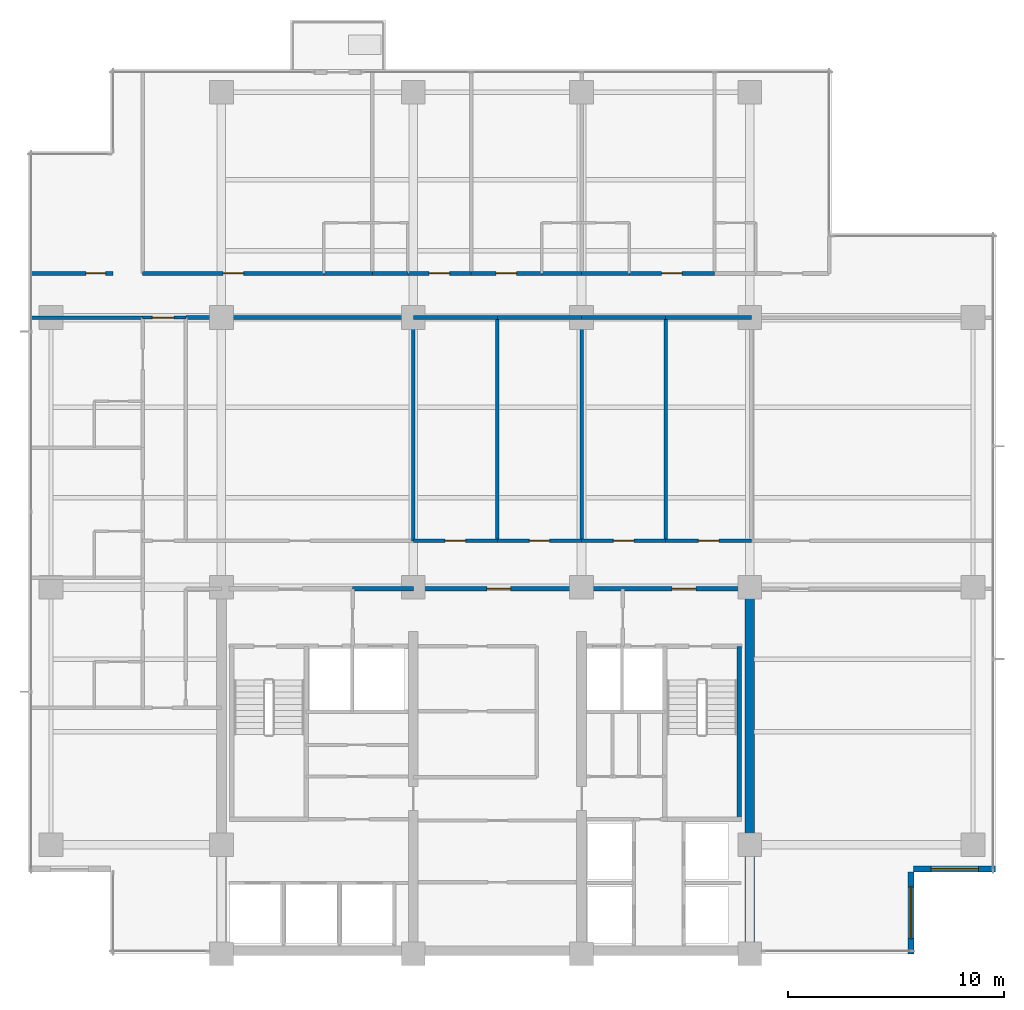
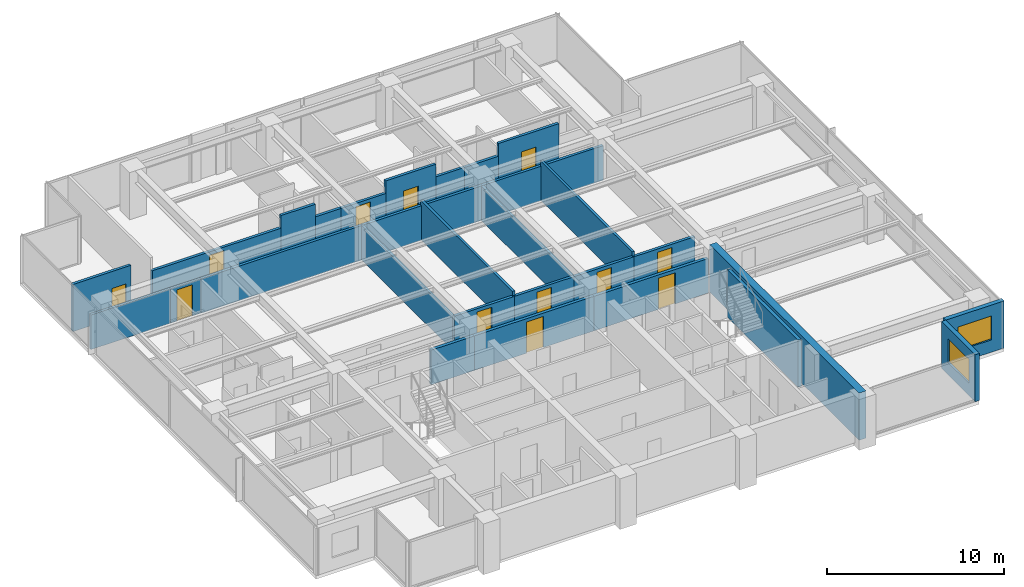
# One storey, part 9 of 14: 31 walls, 12 doors, 2 windows, 14 openings.
"""IFC4 building model written with IfcOpenShell, lengths in metres."""

from ifc_helpers import new_model, si_unit, direction, frame, frame_2d, origin, place, context, subcontext, project, spatial, rectangle, extrude, material, layer, layer_set, type_object, element, fill, save


model = new_model("IFC4")

# Units and contexts
model_context = context("Model", 3, precision=1e-05, world=origin(), true_north=direction((0.0, 1.0)))
body_context = subcontext(model_context, "Body", "Model", "MODEL_VIEW")
ifc_project = project(units=[si_unit("LENGTHUNIT", "METRE"), si_unit("AREAUNIT", "SQUARE_METRE"), si_unit("VOLUMEUNIT", "CUBIC_METRE"), si_unit("PLANEANGLEUNIT", "RADIAN"), si_unit("MASSUNIT", "GRAM", prefix="KILO")], contexts=[model_context])

# Site, building, storey
site_placement = place(None, origin())
site = spatial("IfcSite", under=ifc_project, at=site_placement, CompositionType="ELEMENT")
building_placement = place(site_placement, origin())
building = spatial("IfcBuilding", under=site, at=building_placement, Name="Qalmaran Belvedere Hotel", CompositionType="ELEMENT")
storey_placement = place(building_placement, frame((0.0, 0.0, 152.60009765625)))
storey = spatial("IfcBuildingStorey", under=building, at=storey_placement, Name="L38", CompositionType="ELEMENT", Elevation=152.60009765625)

# Wall
ifc_material_1 = material(Name="Concrete C50/60", Category="concrete")
ifc_layer_1 = layer(ifc_material_1, 0.449951171875, Name="Concrete C50/60")
ifc_layer_set_1 = layer_set([ifc_layer_1], Name="Concrete C50/60")
wall_type_1 = type_object("IfcWallType", Name="WL-CORE-450-C50", PredefinedType="SHEAR", material=ifc_layer_set_1)
wall_1_placement = place(storey_placement, frame((44.800048828125, 3.5, 0.0), z_axis=(0.0, 0.0, 1.0), x_axis=(0.0, 1.0, 0.0)))
element("IfcWall", 1, at=wall_1_placement, inside=storey, type_object=wall_type_1, Name="L38 East Core Shear Wall", PredefinedType="SHEAR", context=body_context, shape_type="SweptSolid", body=[
    extrude(rectangle(XDim=16.89990234375, YDim=0.449951171875, at=frame_2d((8.449951171875, 0.0))), origin(), (0.0, 0.0, 1.0), 3.25),
])

# Wall, opening, window
ifc_material_2 = material(Name="Anodised Bronze Cladding")
ifc_layer_2 = layer(ifc_material_2, 0.280029296875, Name="Anodised Bronze Cladding")
ifc_layer_set_2 = layer_set([ifc_layer_2], Name="Anodised Bronze Cladding")
wall_type_2 = type_object("IfcWallType", Name="WL-EXT-BRNZ-280", PredefinedType="SOLIDWALL", material=ifc_layer_set_2)
wall_2_placement = place(storey_placement, frame((52.280029296875, 3.5, 0.0), z_axis=(0.0, 0.0, 1.0), x_axis=(0.0, 1.0, 0.0)))
wall_2 = element("IfcWall", 2, at=wall_2_placement, inside=storey, type_object=wall_type_2, Name="L38 Corner Notch Wall 1", PredefinedType="SOLIDWALL", context=body_context, shape_type="SweptSolid", body=[
    extrude(rectangle(XDim=3.800048828125, YDim=0.280029296875, at=frame_2d((1.89990234375, 0.0))), origin(), (0.0, 0.0, 1.0), 3.25),
])
opening_1_placement = place(wall_2_placement, frame((0.699951171875, 0.0, 0.85009765625)))
opening_1 = element("IfcOpeningElement", 3, at=opening_1_placement, cuts=wall_2, Name="Opening W-N24", PredefinedType="OPENING", context=body_context, shape_type="SweptSolid", body=[
    extrude(rectangle(XDim=2.39990234375, YDim=1.64990234375, at=frame_2d((1.199951171875, 0.824951171875))), frame((0.0, 0.14990234375, 0.0), z_axis=(0.0, -1.0, 0.0), x_axis=(1.0, 0.0, 0.0)), (0.0, 0.0, 1.0), 0.300048828125),
])
ifc_material_3 = material(Name="Solar-Control Double Glazing", Category="glass")
window_type_1 = type_object("IfcWindowType", Name="WN-NTC-2400X1650", PartitioningType="SINGLE_PANEL", PredefinedType="WINDOW", material=ifc_material_3)
window_1_placement = place(opening_1_placement, origin())
window_1 = element("IfcWindow", 4, at=window_1_placement, inside=storey, type_object=window_type_1, Name="L38 Corner Notch Window 1", OverallHeight=1.64990234375, OverallWidth=2.39990234375, PartitioningType="SINGLE_PANEL", PredefinedType="WINDOW", context=body_context, shape_type="SweptSolid", body=[
    extrude(rectangle(XDim=2.39990234375, YDim=1.64990234375, at=frame_2d((1.199951171875, 0.824951171875))), frame((0.0, 0.030029296875, 0.0), z_axis=(0.0, -1.0, 0.0), x_axis=(1.0, 0.0, 0.0)), (0.0, 0.0, 1.0), 0.06005859375),
])
fill(opening_1, window_1)

wall_3_placement = place(storey_placement, frame((52.39990234375, 7.419921875, 0.0), z_axis=(0.0, 0.0, 1.0), x_axis=(1.0, 0.0, 0.0)))
wall_3 = element("IfcWall", 5, at=wall_3_placement, inside=storey, type_object=wall_type_2, Name="L38 Corner Notch Wall 2", PredefinedType="SOLIDWALL", context=body_context, shape_type="SweptSolid", body=[
    extrude(rectangle(XDim=3.800048828125, YDim=0.280029296875, at=frame_2d((1.89990234375, 0.0))), origin(), (0.0, 0.0, 1.0), 3.25),
])
opening_2_placement = place(wall_3_placement, frame((0.800048828125, 0.0, 0.85009765625)))
opening_2 = element("IfcOpeningElement", 6, at=opening_2_placement, cuts=wall_3, Name="Opening W-N22", PredefinedType="OPENING", context=body_context, shape_type="SweptSolid", body=[
    extrude(rectangle(XDim=2.199951171875, YDim=1.64990234375, at=frame_2d((1.10009765625, 0.824951171875))), frame((0.0, 0.14990234375, 0.0), z_axis=(0.0, -1.0, 0.0), x_axis=(1.0, 0.0, 0.0)), (0.0, 0.0, 1.0), 0.300048828125),
])
window_type_2 = type_object("IfcWindowType", Name="WN-NTC-2200X1650", PartitioningType="SINGLE_PANEL", PredefinedType="WINDOW", material=ifc_material_3)
window_2_placement = place(opening_2_placement, origin())
window_2 = element("IfcWindow", 7, at=window_2_placement, inside=storey, type_object=window_type_2, Name="L38 Corner Notch Window 2", OverallHeight=1.64990234375, OverallWidth=2.199951171875, PartitioningType="SINGLE_PANEL", PredefinedType="WINDOW", context=body_context, shape_type="SweptSolid", body=[
    extrude(rectangle(XDim=2.199951171875, YDim=1.64990234375, at=frame_2d((1.10009765625, 0.824951171875))), frame((0.0, 0.030029296875, 0.0), z_axis=(0.0, -1.0, 0.0), x_axis=(1.0, 0.0, 0.0)), (0.0, 0.0, 1.0), 0.06005859375),
])
fill(opening_2, window_2)

# Wall, opening, door
ifc_material_4 = material(Name="Gypsum Stud Partition")
ifc_layer_3 = layer(ifc_material_4, 0.14990234375, Name="Gypsum Stud Partition")
ifc_layer_set_3 = layer_set([ifc_layer_3], Name="Gypsum Stud Partition")
wall_type_3 = type_object("IfcWallType", Name="WL-INT-150-EI60", PredefinedType="PARTITIONING", material=ifc_layer_set_3)
wall_4_placement = place(storey_placement, frame((16.64990234375, 33.0, 0.0), z_axis=(0.0, 0.0, 1.0), x_axis=(1.0, 0.0, 0.0)))
wall_4 = element("IfcWall", 8, at=wall_4_placement, inside=storey, type_object=wall_type_3, Name="L38 Partition WL-L38-XCW2", PredefinedType="PARTITIONING", context=body_context, shape_type="SweptSolid", body=[
    extrude(rectangle(XDim=2.0, YDim=0.14990234375, at=frame_2d((1.0, 0.0))), origin(), (0.0, 0.0, 1.0), 2.3798828125),
])
opening_3_placement = place(wall_4_placement, frame((0.449951171875, 0.0, 0.0)))
opening_3 = element("IfcOpeningElement", 9, at=opening_3_placement, cuts=wall_4, Name="Opening FD90B", PredefinedType="OPENING", context=body_context, shape_type="SweptSolid", body=[
    extrude(rectangle(XDim=1.0, YDim=2.14990234375, at=frame_2d((0.5, 1.074951171875))), frame((0.0, 0.0849609375, 0.0), z_axis=(0.0, -1.0, 0.0), x_axis=(1.0, 0.0, 0.0)), (0.0, 0.0, 1.0), 0.169921875),
])
ifc_material_5 = material(Name="Steel S355JR", Category="steel")
door_type_1 = type_object("IfcDoorType", Name="DR-FD90B-1000X2150", OperationType="NOTDEFINED", PredefinedType="DOOR", material=ifc_material_5)
door_1_placement = place(opening_3_placement, origin())
door_1 = element("IfcDoor", 10, at=door_1_placement, inside=storey, type_object=door_type_1, Name="L38 West Corridor Smoke Door N", OperationType="SINGLE_SWING_RIGHT", OverallHeight=2.14990234375, OverallWidth=1.0, PredefinedType="DOOR", context=body_context, shape_type="SweptSolid", body=[
    extrude(rectangle(XDim=1.0, YDim=2.14990234375, at=frame_2d((0.5, 1.074951171875))), frame((0.0, 0.02490234375, 0.0), z_axis=(0.0, -1.0, 0.0), x_axis=(1.0, 0.0, 0.0)), (0.0, 0.0, 1.0), 0.050048828125),
])
fill(opening_3, door_1)

# Walls
ifc_layer_4 = layer(ifc_material_4, 0.159912109375, Name="Gypsum Stud Partition")
ifc_layer_set_4 = layer_set([ifc_layer_4], Name="Gypsum Stud Partition")
wall_type_4 = type_object("IfcWallType", Name="WL-INT-160-EI60", PredefinedType="PARTITIONING", material=ifc_layer_set_4)
wall_5_placement = place(storey_placement, frame((29.199951171875, 22.64990234375, 0.0), z_axis=(0.0, 0.0, 1.0), x_axis=(0.0, 1.0, 0.0)))
element("IfcWall", 11, at=wall_5_placement, inside=storey, type_object=wall_type_4, Name="L38 Partition WL-L38-MIDVR1", PredefinedType="PARTITIONING", context=body_context, shape_type="SweptSolid", body=[
    extrude(rectangle(XDim=10.35009765625, YDim=0.159912109375, at=frame_2d((5.175048828125, 0.0))), origin(), (0.0, 0.0, 1.0), 2.3798828125),
])
wall_6_placement = place(storey_placement, frame((33.10009765625, 22.64990234375, 0.0), z_axis=(0.0, 0.0, 1.0), x_axis=(0.0, 1.0, 0.0)))
element("IfcWall", 12, at=wall_6_placement, inside=storey, type_object=wall_type_4, Name="L38 Partition WL-L38-MIDVR2", PredefinedType="PARTITIONING", context=body_context, shape_type="SweptSolid", body=[
    extrude(rectangle(XDim=10.35009765625, YDim=0.159912109375, at=frame_2d((5.175048828125, 0.0))), origin(), (0.0, 0.0, 1.0), 2.69189453125),
])
wall_7_placement = place(storey_placement, frame((37.0, 22.64990234375, 0.0), z_axis=(0.0, 0.0, 1.0), x_axis=(0.0, 1.0, 0.0)))
element("IfcWall", 13, at=wall_7_placement, inside=storey, type_object=wall_type_4, Name="L38 Partition WL-L38-MIDVR3", PredefinedType="PARTITIONING", context=body_context, shape_type="SweptSolid", body=[
    extrude(rectangle(XDim=10.35009765625, YDim=0.159912109375, at=frame_2d((5.175048828125, 0.0))), origin(), (0.0, 0.0, 1.0), 2.3798828125),
])
wall_8_placement = place(storey_placement, frame((40.89990234375, 22.64990234375, 0.0), z_axis=(0.0, 0.0, 1.0), x_axis=(0.0, 1.0, 0.0)))
element("IfcWall", 14, at=wall_8_placement, inside=storey, type_object=wall_type_4, Name="L38 Partition WL-L38-MIDVR4", PredefinedType="PARTITIONING", context=body_context, shape_type="SweptSolid", body=[
    extrude(rectangle(XDim=10.35009765625, YDim=0.159912109375, at=frame_2d((5.175048828125, 0.0))), origin(), (0.0, 0.0, 1.0), 2.69189453125),
])
wall_9_placement = place(storey_placement, frame((11.469970703125, 33.0, 0.0), z_axis=(0.0, 0.0, 1.0), x_axis=(1.0, 0.0, 0.0)))
element("IfcWall", 15, at=wall_9_placement, inside=storey, type_object=wall_type_4, Name="L38 Partition WL-L38-WU02", PredefinedType="PARTITIONING", context=body_context, shape_type="SweptSolid", body=[
    extrude(rectangle(XDim=5.179931640625, YDim=0.159912109375, at=frame_2d((2.58984375, 0.0))), origin(), (0.0, 0.0, 1.0), 2.3798828125),
])
ifc_layer_5 = layer(ifc_material_4, 0.179931640625, Name="Gypsum Stud Partition")
ifc_layer_set_5 = layer_set([ifc_layer_5], Name="Gypsum Stud Partition")
wall_type_5 = type_object("IfcWallType", Name="WL-INT-180-EI60", PredefinedType="PARTITIONING", material=ifc_layer_set_5)
wall_10_placement = place(storey_placement, frame((18.64990234375, 33.0, 0.0), z_axis=(0.0, 0.0, 1.0), x_axis=(1.0, 0.0, 0.0)))
element("IfcWall", 16, at=wall_10_placement, inside=storey, type_object=wall_type_5, Name="L38 Partition WL-L38-MIDO1", PredefinedType="PARTITIONING", context=body_context, shape_type="SweptSolid", body=[
    extrude(rectangle(XDim=10.550048828125, YDim=0.179931640625, at=frame_2d((5.27490234375, 0.0))), origin(), (0.0, 0.0, 1.0), 2.3798828125),
])

# Wall, opening, door
wall_11_placement = place(storey_placement, frame((29.199951171875, 22.64990234375, 0.0), z_axis=(0.0, 0.0, 1.0), x_axis=(1.0, 0.0, 0.0)))
wall_11 = element("IfcWall", 17, at=wall_11_placement, inside=storey, type_object=wall_type_5, Name="L38 Partition WL-L38-MIDD2", PredefinedType="PARTITIONING", context=body_context, shape_type="SweptSolid", body=[
    extrude(rectangle(XDim=3.900146484375, YDim=0.179931640625, at=frame_2d((1.9501953125, 0.0))), origin(), (0.0, 0.0, 1.0), 2.3798828125),
])
opening_4_placement = place(wall_11_placement, frame((1.47509765625, 0.0, 0.0)))
opening_4 = element("IfcOpeningElement", 18, at=opening_4_placement, cuts=wall_11, Name="Opening FD60", PredefinedType="OPENING", context=body_context, shape_type="SweptSolid", body=[
    extrude(rectangle(XDim=0.949951171875, YDim=2.14990234375, at=frame_2d((0.47509765625, 1.074951171875))), frame((0.0, 0.10009765625, 0.0), z_axis=(0.0, -1.0, 0.0), x_axis=(1.0, 0.0, 0.0)), (0.0, 0.0, 1.0), 0.199951171875),
])
ifc_material_6 = material(Name="Engineered Oak Veneer")
door_type_2 = type_object("IfcDoorType", Name="DR-FD60-950X2150", OperationType="NOTDEFINED", PredefinedType="DOOR", material=ifc_material_6)
door_2_placement = place(opening_4_placement, origin())
door_2 = element("IfcDoor", 19, at=door_2_placement, inside=storey, type_object=door_type_2, Name="L38 Valet Closet Door", OperationType="SINGLE_SWING_RIGHT", OverallHeight=2.14990234375, OverallWidth=0.949951171875, PredefinedType="DOOR", context=body_context, shape_type="SweptSolid", body=[
    extrude(rectangle(XDim=0.949951171875, YDim=2.14990234375, at=frame_2d((0.47509765625, 1.074951171875))), frame((0.0, 0.02490234375, 0.0), z_axis=(0.0, -1.0, 0.0), x_axis=(1.0, 0.0, 0.0)), (0.0, 0.0, 1.0), 0.050048828125),
])
fill(opening_4, door_2)

# Wall
wall_12_placement = place(storey_placement, frame((29.199951171875, 33.0, 0.0), z_axis=(0.0, 0.0, 1.0), x_axis=(1.0, 0.0, 0.0)))
element("IfcWall", 20, at=wall_12_placement, inside=storey, type_object=wall_type_5, Name="L38 Partition WL-L38-MIDO2", PredefinedType="PARTITIONING", context=body_context, shape_type="SweptSolid", body=[
    extrude(rectangle(XDim=3.900146484375, YDim=0.179931640625, at=frame_2d((1.9501953125, 0.0))), origin(), (0.0, 0.0, 1.0), 2.3798828125),
])

# Wall, opening, door
wall_13_placement = place(storey_placement, frame((33.10009765625, 22.64990234375, 0.0), z_axis=(0.0, 0.0, 1.0), x_axis=(1.0, 0.0, 0.0)))
wall_13 = element("IfcWall", 21, at=wall_13_placement, inside=storey, type_object=wall_type_5, Name="L38 Partition WL-L38-MIDD3", PredefinedType="PARTITIONING", context=body_context, shape_type="SweptSolid", body=[
    extrude(rectangle(XDim=3.89990234375, YDim=0.179931640625, at=frame_2d((1.949951171875, 0.0))), origin(), (0.0, 0.0, 1.0), 2.3798828125),
])
opening_5_placement = place(wall_13_placement, frame((1.47509765625, 0.0, 0.0)))
opening_5 = element("IfcOpeningElement", 22, at=opening_5_placement, cuts=wall_13, Name="Opening FD60", PredefinedType="OPENING", context=body_context, shape_type="SweptSolid", body=[
    extrude(rectangle(XDim=0.949951171875, YDim=2.14990234375, at=frame_2d((0.47509765625, 1.074951171875))), frame((0.0, 0.10009765625, 0.0), z_axis=(0.0, -1.0, 0.0), x_axis=(1.0, 0.0, 0.0)), (0.0, 0.0, 1.0), 0.199951171875),
])
door_3_placement = place(opening_5_placement, origin())
door_3 = element("IfcDoor", 23, at=door_3_placement, inside=storey, type_object=door_type_2, Name="L38 Luggage Store Door", OperationType="SINGLE_SWING_LEFT", OverallHeight=2.14990234375, OverallWidth=0.949951171875, PredefinedType="DOOR", context=body_context, shape_type="SweptSolid", body=[
    extrude(rectangle(XDim=0.949951171875, YDim=2.14990234375, at=frame_2d((0.47509765625, 1.074951171875))), frame((0.0, 0.02490234375, 0.0), z_axis=(0.0, -1.0, 0.0), x_axis=(1.0, 0.0, 0.0)), (0.0, 0.0, 1.0), 0.050048828125),
])
fill(opening_5, door_3)

# Wall
wall_14_placement = place(storey_placement, frame((33.10009765625, 33.0, 0.0), z_axis=(0.0, 0.0, 1.0), x_axis=(1.0, 0.0, 0.0)))
element("IfcWall", 24, at=wall_14_placement, inside=storey, type_object=wall_type_5, Name="L38 Partition WL-L38-MIDO3", PredefinedType="PARTITIONING", context=body_context, shape_type="SweptSolid", body=[
    extrude(rectangle(XDim=3.89990234375, YDim=0.179931640625, at=frame_2d((1.949951171875, 0.0))), origin(), (0.0, 0.0, 1.0), 2.3798828125),
])

# Wall, opening, door
wall_15_placement = place(storey_placement, frame((37.0, 22.64990234375, 0.0), z_axis=(0.0, 0.0, 1.0), x_axis=(1.0, 0.0, 0.0)))
wall_15 = element("IfcWall", 25, at=wall_15_placement, inside=storey, type_object=wall_type_5, Name="L38 Partition WL-L38-MIDD4", PredefinedType="PARTITIONING", context=body_context, shape_type="SweptSolid", body=[
    extrude(rectangle(XDim=3.89990234375, YDim=0.179931640625, at=frame_2d((1.949951171875, 0.0))), origin(), (0.0, 0.0, 1.0), 2.3798828125),
])
opening_6_placement = place(wall_15_placement, frame((1.47509765625, 0.0, 0.0)))
opening_6 = element("IfcOpeningElement", 26, at=opening_6_placement, cuts=wall_15, Name="Opening FD60", PredefinedType="OPENING", context=body_context, shape_type="SweptSolid", body=[
    extrude(rectangle(XDim=0.949951171875, YDim=2.14990234375, at=frame_2d((0.47509765625, 1.074951171875))), frame((0.0, 0.10009765625, 0.0), z_axis=(0.0, -1.0, 0.0), x_axis=(1.0, 0.0, 0.0)), (0.0, 0.0, 1.0), 0.199951171875),
])
door_4_placement = place(opening_6_placement, origin())
door_4 = element("IfcDoor", 27, at=door_4_placement, inside=storey, type_object=door_type_2, Name="L38 Linen Store Door", OperationType="SINGLE_SWING_RIGHT", OverallHeight=2.14990234375, OverallWidth=0.949951171875, PredefinedType="DOOR", context=body_context, shape_type="SweptSolid", body=[
    extrude(rectangle(XDim=0.949951171875, YDim=2.14990234375, at=frame_2d((0.47509765625, 1.074951171875))), frame((0.0, 0.02490234375, 0.0), z_axis=(0.0, -1.0, 0.0), x_axis=(1.0, 0.0, 0.0)), (0.0, 0.0, 1.0), 0.050048828125),
])
fill(opening_6, door_4)

# Wall
wall_16_placement = place(storey_placement, frame((37.0, 33.0, 0.0), z_axis=(0.0, 0.0, 1.0), x_axis=(1.0, 0.0, 0.0)))
element("IfcWall", 28, at=wall_16_placement, inside=storey, type_object=wall_type_5, Name="L38 Partition WL-L38-MIDO4", PredefinedType="PARTITIONING", context=body_context, shape_type="SweptSolid", body=[
    extrude(rectangle(XDim=3.89990234375, YDim=0.179931640625, at=frame_2d((1.949951171875, 0.0))), origin(), (0.0, 0.0, 1.0), 2.3798828125),
])

# Wall, opening, door
wall_17_placement = place(storey_placement, frame((40.89990234375, 22.64990234375, 0.0), z_axis=(0.0, 0.0, 1.0), x_axis=(1.0, 0.0, 0.0)))
wall_17 = element("IfcWall", 29, at=wall_17_placement, inside=storey, type_object=wall_type_5, Name="L38 Partition WL-L38-MIDD5", PredefinedType="PARTITIONING", context=body_context, shape_type="SweptSolid", body=[
    extrude(rectangle(XDim=3.97998046875, YDim=0.179931640625, at=frame_2d((1.989990234375, 0.0))), origin(), (0.0, 0.0, 1.0), 2.3798828125),
])
opening_7_placement = place(wall_17_placement, frame((1.514892578125, 0.0, 0.0)))
opening_7 = element("IfcOpeningElement", 30, at=opening_7_placement, cuts=wall_17, Name="Opening FD60", PredefinedType="OPENING", context=body_context, shape_type="SweptSolid", body=[
    extrude(rectangle(XDim=0.949951171875, YDim=2.14990234375, at=frame_2d((0.47509765625, 1.074951171875))), frame((0.0, 0.10009765625, 0.0), z_axis=(0.0, -1.0, 0.0), x_axis=(1.0, 0.0, 0.0)), (0.0, 0.0, 1.0), 0.199951171875),
])
door_5_placement = place(opening_7_placement, origin())
door_5 = element("IfcDoor", 31, at=door_5_placement, inside=storey, type_object=door_type_2, Name="L38 Tableware Store Door", OperationType="SINGLE_SWING_LEFT", OverallHeight=2.14990234375, OverallWidth=0.949951171875, PredefinedType="DOOR", context=body_context, shape_type="SweptSolid", body=[
    extrude(rectangle(XDim=0.949951171875, YDim=2.14990234375, at=frame_2d((0.47509765625, 1.074951171875))), frame((0.0, 0.02490234375, 0.0), z_axis=(0.0, -1.0, 0.0), x_axis=(1.0, 0.0, 0.0)), (0.0, 0.0, 1.0), 0.050048828125),
])
fill(opening_7, door_5)

# Walls
wall_18_placement = place(storey_placement, frame((40.89990234375, 33.0, 0.0), z_axis=(0.0, 0.0, 1.0), x_axis=(1.0, 0.0, 0.0)))
element("IfcWall", 32, at=wall_18_placement, inside=storey, type_object=wall_type_5, Name="L38 Partition WL-L38-MIDO5", PredefinedType="PARTITIONING", context=body_context, shape_type="SweptSolid", body=[
    extrude(rectangle(XDim=3.97998046875, YDim=0.179931640625, at=frame_2d((1.989990234375, 0.0))), origin(), (0.0, 0.0, 1.0), 2.3798828125),
])
wall_19_placement = place(storey_placement, frame((25.050048828125, 35.050048828125, 0.0), z_axis=(0.0, 0.0, 1.0), x_axis=(1.0, 0.0, 0.0)))
element("IfcWall", 33, at=wall_19_placement, inside=storey, type_object=wall_type_5, Name="L38 Partition WL-L38-NBC00", PredefinedType="PARTITIONING", context=body_context, shape_type="SweptSolid", body=[
    extrude(rectangle(XDim=2.25, YDim=0.179931640625, at=frame_2d((1.125, 0.0))), origin(), (0.0, 0.0, 1.0), 3.25),
])

# Wall, opening, door
wall_20_placement = place(storey_placement, frame((16.64990234375, 35.050048828125, 0.0), z_axis=(0.0, 0.0, 1.0), x_axis=(1.0, 0.0, 0.0)))
wall_20 = element("IfcWall", 34, at=wall_20_placement, inside=storey, type_object=wall_type_5, Name="L38 Partition WL-L38-NEC00", PredefinedType="PARTITIONING", context=body_context, shape_type="SweptSolid", body=[
    extrude(rectangle(XDim=8.400146484375, YDim=0.179931640625, at=frame_2d((4.2001953125, 0.0))), origin(), (0.0, 0.0, 1.0), 2.3798828125),
])
opening_8_placement = place(wall_20_placement, frame((3.72509765625, 0.0, 0.0)))
opening_8 = element("IfcOpeningElement", 35, at=opening_8_placement, cuts=wall_20, Name="Opening FD60", PredefinedType="OPENING", context=body_context, shape_type="SweptSolid", body=[
    extrude(rectangle(XDim=0.949951171875, YDim=2.14990234375, at=frame_2d((0.47509765625, 1.074951171875))), frame((0.0, 0.10009765625, 0.0), z_axis=(0.0, -1.0, 0.0), x_axis=(1.0, 0.0, 0.0)), (0.0, 0.0, 1.0), 0.199951171875),
])
door_6_placement = place(opening_8_placement, origin())
door_6 = element("IfcDoor", 36, at=door_6_placement, inside=storey, type_object=door_type_2, Name="L38 Guest Entrance Door N01", OperationType="SINGLE_SWING_LEFT", OverallHeight=2.14990234375, OverallWidth=0.949951171875, PredefinedType="DOOR", context=body_context, shape_type="SweptSolid", body=[
    extrude(rectangle(XDim=0.949951171875, YDim=2.14990234375, at=frame_2d((0.47509765625, 1.074951171875))), frame((0.0, 0.02490234375, 0.0), z_axis=(0.0, -1.0, 0.0), x_axis=(1.0, 0.0, 0.0)), (0.0, 0.0, 1.0), 0.050048828125),
])
fill(opening_8, door_6)

# Wall
wall_21_placement = place(storey_placement, frame((27.300048828125, 35.050048828125, 0.0), z_axis=(0.0, 0.0, 1.0), x_axis=(1.0, 0.0, 0.0)))
element("IfcWall", 37, at=wall_21_placement, inside=storey, type_object=wall_type_5, Name="L38 Partition WL-L38-NBC01", PredefinedType="PARTITIONING", context=body_context, shape_type="SweptSolid", body=[
    extrude(rectangle(XDim=1.64990234375, YDim=0.179931640625, at=frame_2d((0.824951171875, 0.0))), origin(), (0.0, 0.0, 1.0), 2.3798828125),
])

# Wall, opening, door
wall_22_placement = place(storey_placement, frame((28.949951171875, 35.050048828125, 0.0), z_axis=(0.0, 0.0, 1.0), x_axis=(1.0, 0.0, 0.0)))
wall_22 = element("IfcWall", 38, at=wall_22_placement, inside=storey, type_object=wall_type_5, Name="L38 Partition WL-L38-NEC01", PredefinedType="PARTITIONING", context=body_context, shape_type="SweptSolid", body=[
    extrude(rectangle(XDim=2.925048828125, YDim=0.179931640625, at=frame_2d((1.46240234375, 0.0))), origin(), (0.0, 0.0, 1.0), 2.3798828125),
])
opening_9_placement = place(wall_22_placement, frame((0.987548828125, 0.0, 0.0)))
opening_9 = element("IfcOpeningElement", 39, at=opening_9_placement, cuts=wall_22, Name="Opening FD60", PredefinedType="OPENING", context=body_context, shape_type="SweptSolid", body=[
    extrude(rectangle(XDim=0.949951171875, YDim=2.14990234375, at=frame_2d((0.47509765625, 1.074951171875))), frame((0.0, 0.10009765625, 0.0), z_axis=(0.0, -1.0, 0.0), x_axis=(1.0, 0.0, 0.0)), (0.0, 0.0, 1.0), 0.199951171875),
])
door_7_placement = place(opening_9_placement, origin())
door_7 = element("IfcDoor", 40, at=door_7_placement, inside=storey, type_object=door_type_2, Name="L38 Guest Entrance Door N02", OperationType="SINGLE_SWING_LEFT", OverallHeight=2.14990234375, OverallWidth=0.949951171875, PredefinedType="DOOR", context=body_context, shape_type="SweptSolid", body=[
    extrude(rectangle(XDim=0.949951171875, YDim=2.14990234375, at=frame_2d((0.47509765625, 1.074951171875))), frame((0.0, 0.02490234375, 0.0), z_axis=(0.0, -1.0, 0.0), x_axis=(1.0, 0.0, 0.0)), (0.0, 0.0, 1.0), 0.050048828125),
])
fill(opening_9, door_7)

# Wall
wall_23_placement = place(storey_placement, frame((35.159912109375, 35.050048828125, 0.0), z_axis=(0.0, 0.0, 1.0), x_axis=(1.0, 0.0, 0.0)))
element("IfcWall", 41, at=wall_23_placement, inside=storey, type_object=wall_type_5, Name="L38 Partition WL-L38-NBC02", PredefinedType="PARTITIONING", context=body_context, shape_type="SweptSolid", body=[
    extrude(rectangle(XDim=1.840087890625, YDim=0.179931640625, at=frame_2d((0.919921875, 0.0))), origin(), (0.0, 0.0, 1.0), 2.3798828125),
])

# Wall, opening, door
wall_24_placement = place(storey_placement, frame((31.875, 35.050048828125, 0.0), z_axis=(0.0, 0.0, 1.0), x_axis=(1.0, 0.0, 0.0)))
wall_24 = element("IfcWall", 42, at=wall_24_placement, inside=storey, type_object=wall_type_5, Name="L38 Partition WL-L38-NEC02", PredefinedType="PARTITIONING", context=body_context, shape_type="SweptSolid", body=[
    extrude(rectangle(XDim=3.284912109375, YDim=0.179931640625, at=frame_2d((1.642578125, 0.0))), origin(), (0.0, 0.0, 1.0), 3.25),
])
opening_10_placement = place(wall_24_placement, frame((1.16748046875, 0.0, 0.0)))
opening_10 = element("IfcOpeningElement", 43, at=opening_10_placement, cuts=wall_24, Name="Opening FD60", PredefinedType="OPENING", context=body_context, shape_type="SweptSolid", body=[
    extrude(rectangle(XDim=0.949951171875, YDim=2.14990234375, at=frame_2d((0.47509765625, 1.074951171875))), frame((0.0, 0.10009765625, 0.0), z_axis=(0.0, -1.0, 0.0), x_axis=(1.0, 0.0, 0.0)), (0.0, 0.0, 1.0), 0.199951171875),
])
door_8_placement = place(opening_10_placement, origin())
door_8 = element("IfcDoor", 44, at=door_8_placement, inside=storey, type_object=door_type_2, Name="L38 Guest Entrance Door N03", OperationType="SINGLE_SWING_LEFT", OverallHeight=2.14990234375, OverallWidth=0.949951171875, PredefinedType="DOOR", context=body_context, shape_type="SweptSolid", body=[
    extrude(rectangle(XDim=0.949951171875, YDim=2.14990234375, at=frame_2d((0.47509765625, 1.074951171875))), frame((0.0, 0.02490234375, 0.0), z_axis=(0.0, -1.0, 0.0), x_axis=(1.0, 0.0, 0.0)), (0.0, 0.0, 1.0), 0.050048828125),
])
fill(opening_10, door_8)

# Wall
wall_25_placement = place(storey_placement, frame((37.0, 35.050048828125, 0.0), z_axis=(0.0, 0.0, 1.0), x_axis=(1.0, 0.0, 0.0)))
element("IfcWall", 45, at=wall_25_placement, inside=storey, type_object=wall_type_5, Name="L38 Partition WL-L38-NBC03", PredefinedType="PARTITIONING", context=body_context, shape_type="SweptSolid", body=[
    extrude(rectangle(XDim=2.219970703125, YDim=0.179931640625, at=frame_2d((1.10986328125, 0.0))), origin(), (0.0, 0.0, 1.0), 2.3798828125),
])

# Wall, opening, door
wall_26_placement = place(storey_placement, frame((39.219970703125, 35.050048828125, 0.0), z_axis=(0.0, 0.0, 1.0), x_axis=(1.0, 0.0, 0.0)))
wall_26 = element("IfcWall", 46, at=wall_26_placement, inside=storey, type_object=wall_type_5, Name="L38 Partition WL-L38-NEC03", PredefinedType="PARTITIONING", context=body_context, shape_type="SweptSolid", body=[
    extrude(rectangle(XDim=3.946533203125, YDim=0.179931640625, at=frame_2d((1.97314453125, 0.0))), origin(), (0.0, 0.0, 1.0), 3.25),
])
opening_11_placement = place(wall_26_placement, frame((1.498291015625, 0.0, 0.0)))
opening_11 = element("IfcOpeningElement", 47, at=opening_11_placement, cuts=wall_26, Name="Opening FD60", PredefinedType="OPENING", context=body_context, shape_type="SweptSolid", body=[
    extrude(rectangle(XDim=0.949951171875, YDim=2.14990234375, at=frame_2d((0.47509765625, 1.074951171875))), frame((0.0, 0.10009765625, 0.0), z_axis=(0.0, -1.0, 0.0), x_axis=(1.0, 0.0, 0.0)), (0.0, 0.0, 1.0), 0.199951171875),
])
door_9_placement = place(opening_11_placement, origin())
door_9 = element("IfcDoor", 48, at=door_9_placement, inside=storey, type_object=door_type_2, Name="L38 Guest Entrance Door N04", OperationType="SINGLE_SWING_LEFT", OverallHeight=2.14990234375, OverallWidth=0.949951171875, PredefinedType="DOOR", context=body_context, shape_type="SweptSolid", body=[
    extrude(rectangle(XDim=0.949951171875, YDim=2.14990234375, at=frame_2d((0.47509765625, 1.074951171875))), frame((0.0, 0.02490234375, 0.0), z_axis=(0.0, -1.0, 0.0), x_axis=(1.0, 0.0, 0.0)), (0.0, 0.0, 1.0), 0.050048828125),
])
fill(opening_11, door_9)

wall_27_placement = place(storey_placement, frame((11.469970703125, 35.050048828125, 0.0), z_axis=(0.0, 0.0, 1.0), x_axis=(1.0, 0.0, 0.0)))
wall_27 = element("IfcWall", 49, at=wall_27_placement, inside=storey, type_object=wall_type_5, Name="L38 Partition WL-L38-NWSD", PredefinedType="PARTITIONING", context=body_context, shape_type="SweptSolid", body=[
    extrude(rectangle(XDim=3.800048828125, YDim=0.179931640625, at=frame_2d((1.89990234375, 0.0))), origin(), (0.0, 0.0, 1.0), 3.25),
])
opening_12_placement = place(wall_27_placement, frame((2.543701171875, 0.0, 0.0)))
opening_12 = element("IfcOpeningElement", 50, at=opening_12_placement, cuts=wall_27, Name="Opening FD60S1", PredefinedType="OPENING", context=body_context, shape_type="SweptSolid", body=[
    extrude(rectangle(XDim=0.919921875, YDim=2.080078125, at=frame_2d((0.4599609375, 1.0400390625))), frame((0.0, 0.10009765625, 0.0), z_axis=(0.0, -1.0, 0.0), x_axis=(1.0, 0.0, 0.0)), (0.0, 0.0, 1.0), 0.199951171875),
])
door_type_3 = type_object("IfcDoorType", Name="DR-FD60S-920X2080", OperationType="NOTDEFINED", PredefinedType="DOOR", material=ifc_material_6)
door_10_placement = place(opening_12_placement, origin())
door_10 = element("IfcDoor", 51, at=door_10_placement, inside=storey, type_object=door_type_3, Name="L38 NW Belvedere Study Door", OperationType="SINGLE_SWING_RIGHT", OverallHeight=2.080078125, OverallWidth=0.919921875, PredefinedType="DOOR", context=body_context, shape_type="SweptSolid", body=[
    extrude(rectangle(XDim=0.919921875, YDim=2.080078125, at=frame_2d((0.4599609375, 1.0400390625))), frame((0.0, 0.02490234375, 0.0), z_axis=(0.0, -1.0, 0.0), x_axis=(1.0, 0.0, 0.0)), (0.0, 0.0, 1.0), 0.050048828125),
])
fill(opening_12, door_10)

# Wall
ifc_material_7 = material(Name="Concrete C30/37 Blockwork", Category="masonry")
ifc_layer_6 = layer(ifc_material_7, 0.199951171875, Name="Concrete C30/37 Blockwork")
ifc_layer_set_6 = layer_set([ifc_layer_6], Name="Concrete C30/37 Blockwork")
wall_type_6 = type_object("IfcWallType", Name="WL-INT-200-EI120", PredefinedType="PARTITIONING", material=ifc_layer_set_6)
wall_28_placement = place(storey_placement, frame((26.3798828125, 20.419921875, 0.0), z_axis=(0.0, 0.0, 1.0), x_axis=(1.0, 0.0, 0.0)))
element("IfcWall", 52, at=wall_28_placement, inside=storey, type_object=wall_type_6, Name="L38 Partition WL-CN1B-L38", PredefinedType="PARTITIONING", context=body_context, shape_type="SweptSolid", body=[
    extrude(rectangle(XDim=2.820068359375, YDim=0.199951171875, at=frame_2d((1.41015625, 0.0))), origin(), (0.0, 0.0, 1.0), 2.3798828125),
])

# Wall, opening, door
wall_29_placement = place(storey_placement, frame((29.199951171875, 20.419921875, 0.0), z_axis=(0.0, 0.0, 1.0), x_axis=(1.0, 0.0, 0.0)))
wall_29 = element("IfcWall", 53, at=wall_29_placement, inside=storey, type_object=wall_type_6, Name="L38 Partition WL-CN2-L38", PredefinedType="PARTITIONING", context=body_context, shape_type="SweptSolid", body=[
    extrude(rectangle(XDim=7.800048828125, YDim=0.199951171875, at=frame_2d((3.89990234375, 0.0))), origin(), (0.0, 0.0, 1.0), 2.3798828125),
])
opening_13_placement = place(wall_29_placement, frame((3.4091796875, 0.0, 0.0)))
opening_13 = element("IfcOpeningElement", 54, at=opening_13_placement, cuts=wall_29, Name="Opening FD90", PredefinedType="OPENING", context=body_context, shape_type="SweptSolid", body=[
    extrude(rectangle(XDim=1.10009765625, YDim=2.14990234375, at=frame_2d((0.550048828125, 1.074951171875))), frame((0.0, 0.10986328125, 0.0), z_axis=(0.0, -1.0, 0.0), x_axis=(1.0, 0.0, 0.0)), (0.0, 0.0, 1.0), 0.219970703125),
])
door_type_4 = type_object("IfcDoorType", Name="DR-FD90-1100X2150", OperationType="NOTDEFINED", PredefinedType="DOOR", material=ifc_material_5)
door_11_placement = place(opening_13_placement, origin())
door_11 = element("IfcDoor", 55, at=door_11_placement, inside=storey, type_object=door_type_4, Name="L38 Central Lift Lobby Door", OperationType="SINGLE_SWING_RIGHT", OverallHeight=2.14990234375, OverallWidth=1.10009765625, PredefinedType="DOOR", context=body_context, shape_type="SweptSolid", body=[
    extrude(rectangle(XDim=1.10009765625, YDim=2.14990234375, at=frame_2d((0.550048828125, 1.074951171875))), frame((0.0, 0.02490234375, 0.0), z_axis=(0.0, -1.0, 0.0), x_axis=(1.0, 0.0, 0.0)), (0.0, 0.0, 1.0), 0.050048828125),
])
fill(opening_13, door_11)

wall_30_placement = place(storey_placement, frame((37.0, 20.419921875, 0.0), z_axis=(0.0, 0.0, 1.0), x_axis=(1.0, 0.0, 0.0)))
wall_30 = element("IfcWall", 56, at=wall_30_placement, inside=storey, type_object=wall_type_6, Name="L38 Partition WL-CN3-L38", PredefinedType="PARTITIONING", context=body_context, shape_type="SweptSolid", body=[
    extrude(rectangle(XDim=7.449951171875, YDim=0.199951171875, at=frame_2d((3.72509765625, 0.0))), origin(), (0.0, 0.0, 1.0), 2.3798828125),
])
opening_14_placement = place(wall_30_placement, frame((4.199951171875, 0.0, 0.0)))
opening_14 = element("IfcOpeningElement", 57, at=opening_14_placement, cuts=wall_30, Name="Opening FD90", PredefinedType="OPENING", context=body_context, shape_type="SweptSolid", body=[
    extrude(rectangle(XDim=1.10009765625, YDim=2.14990234375, at=frame_2d((0.550048828125, 1.074951171875))), frame((0.0, 0.10986328125, 0.0), z_axis=(0.0, -1.0, 0.0), x_axis=(1.0, 0.0, 0.0)), (0.0, 0.0, 1.0), 0.219970703125),
])
door_12_placement = place(opening_14_placement, origin())
door_12 = element("IfcDoor", 58, at=door_12_placement, inside=storey, type_object=door_type_4, Name="L38 FF2 Lobby Corridor Door", OperationType="SINGLE_SWING_LEFT", OverallHeight=2.14990234375, OverallWidth=1.10009765625, PredefinedType="DOOR", context=body_context, shape_type="SweptSolid", body=[
    extrude(rectangle(XDim=1.10009765625, YDim=2.14990234375, at=frame_2d((0.550048828125, 1.074951171875))), frame((0.0, 0.02490234375, 0.0), z_axis=(0.0, -1.0, 0.0), x_axis=(1.0, 0.0, 0.0)), (0.0, 0.0, 1.0), 0.050048828125),
])
fill(opening_14, door_12)

# Wall
ifc_layer_7 = layer(ifc_material_1, 0.2099609375, Name="Concrete C50/60")
ifc_layer_set_7 = layer_set([ifc_layer_7], Name="Concrete C50/60")
wall_type_7 = type_object("IfcWallType", Name="WL-STAIR-210-C50", PredefinedType="SHEAR", material=ifc_layer_set_7)
wall_31_placement = place(storey_placement, frame((44.304931640625, 9.7451171875, 0.0), z_axis=(0.0, 0.0, 1.0), x_axis=(0.0, 1.0, 0.0)))
element("IfcWall", 59, at=wall_31_placement, inside=storey, type_object=wall_type_7, Name="L38 Stair ST-2 East Bearing Wall", PredefinedType="SHEAR", context=body_context, shape_type="SweptSolid", body=[
    extrude(rectangle(XDim=8.009765625, YDim=0.2099609375, at=frame_2d((4.0048828125, 0.0))), origin(), (0.0, 0.0, 1.0), 3.25),
])

save(model, "model.ifc")
